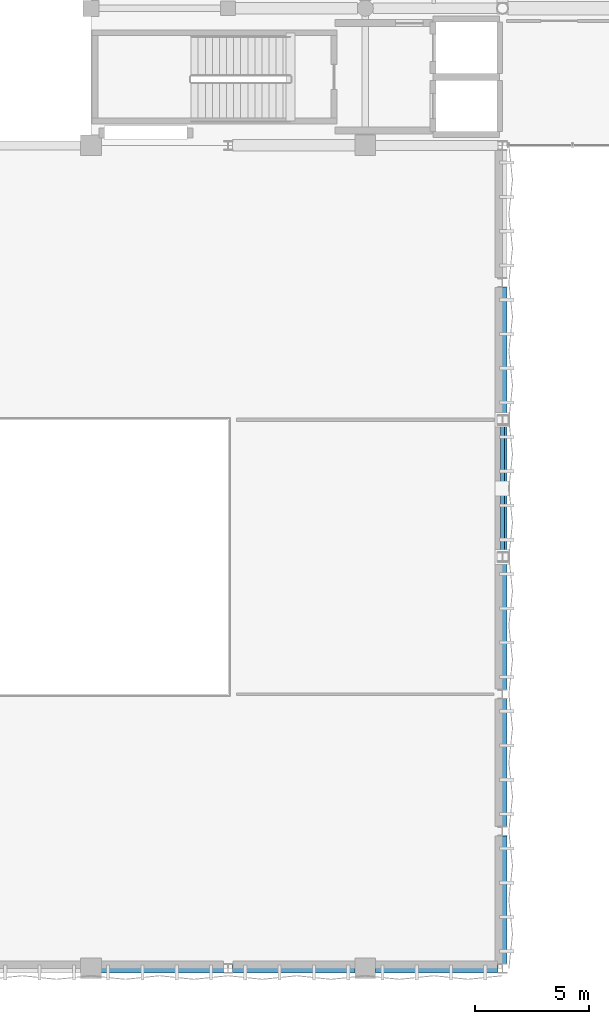
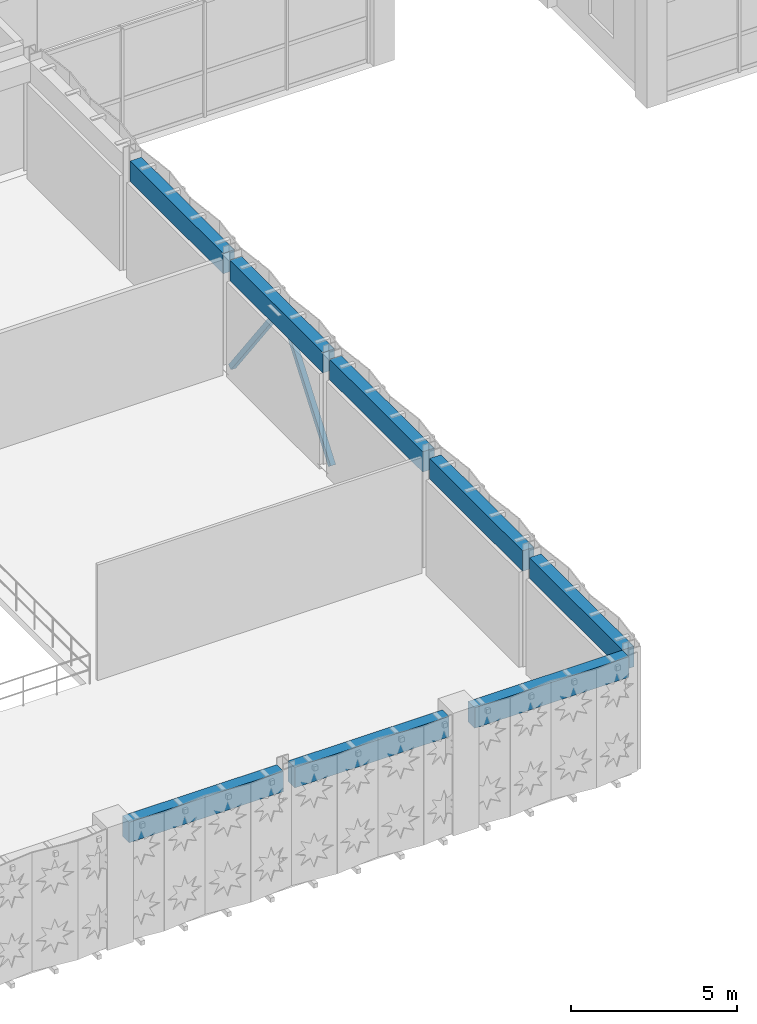
# One storey, part 47 of 116: 8 beams, 2 members.
"""IFC4 building model written with IfcOpenShell, lengths in metres."""

import ifcopenshell
import ifcopenshell.guid

model = None  # the IFC model being written
_history = None  # IfcOwnerHistory: only IFC2X3 demands one
_inside = {}  # id of a spatial element -> (the spatial element, [elements in it])
_under = {}  # id of a project, library or spatial element -> (it, [spatial elements below it])
_declared = {}  # id of a project -> (the project, [libraries it declares])
_typed = {}  # id of a type object -> (the type object, [elements of that type])
_made_of = {}  # id of a material, layer set ... -> (it, [elements and type objects made of it])


def new_model(schema):
    """Start an empty IFC model of exactly this schema.

    Asked for "IFC4X3", IfcOpenShell would pick the latest addendum, in which some entities
    have other attributes; the version numbers below select the first issue.
    IFC2X3 requires an IfcOwnerHistory on every rooted entity: one is made here for all.
    """
    global model, _history
    if schema == "IFC4X3":
        model = ifcopenshell.file(schema_version=(4, 3, 0, 0))
    else:
        model = ifcopenshell.file(schema=schema)
    _inside.clear()
    _under.clear()
    _declared.clear()
    _typed.clear()
    _made_of.clear()
    _history = None
    if model.schema == "IFC2X3":
        org = make("IfcOrganization", Name="unknown")
        user = make(
            "IfcPersonAndOrganization",
            ThePerson=make("IfcPerson", FamilyName="unknown"),
            TheOrganization=org,
        )
        app = make(
            "IfcApplication",
            ApplicationDeveloper=org,
            Version="unknown",
            ApplicationFullName="unknown",
            ApplicationIdentifier="unknown",
        )
        _history = make(
            "IfcOwnerHistory",
            OwningUser=user,
            OwningApplication=app,
            ChangeAction="ADDED",
            CreationDate=0,
        )
    return model


def make(cls, **values):
    """One entity of the class cls with the attributes given. An attribute that is None is left unset."""
    return model.create_entity(
        cls, **{name: value for name, value in values.items() if value is not None}
    )


def rooted(cls, **values):
    """An entity with a GlobalId (a new one), such as an element, a storey or a relation."""
    return make(cls, GlobalId=ifcopenshell.guid.new(), OwnerHistory=_history, **values)


def si_unit(unit_type, name, prefix=None):
    """IfcSIUnit, for example si_unit("LENGTHUNIT", "METRE", prefix="MILLI")."""
    return make("IfcSIUnit", UnitType=unit_type, Prefix=prefix, Name=name)


def assignment(units):
    """IfcUnitAssignment: the units of a project."""
    return None if units is None else make("IfcUnitAssignment", Units=units)


def point(xyz):
    """IfcCartesianPoint."""
    return None if xyz is None else make("IfcCartesianPoint", Coordinates=xyz)


def direction(xyz):
    """IfcDirection."""
    return None if xyz is None else make("IfcDirection", DirectionRatios=xyz)


def frame(location, z_axis=None, x_axis=None):
    """IfcAxis2Placement3D, a coordinate frame: its origin and axes. An axis left out is left unset."""
    return make(
        "IfcAxis2Placement3D",
        Location=point(location),
        Axis=direction(z_axis),
        RefDirection=direction(x_axis),
    )


def frame_2d(location, x_axis=None):
    """IfcAxis2Placement2D, a coordinate frame in the plane: its origin and x axis."""
    return make(
        "IfcAxis2Placement2D", Location=point(location), RefDirection=direction(x_axis)
    )


def origin():
    """The frame at (0, 0, 0) with its axes left unset."""
    return frame((0.0, 0.0, 0.0))


def origin_2d():
    """The frame at (0, 0) in the plane with its x axis left unset."""
    return frame_2d((0.0, 0.0))


def place(relative_to, where):
    """IfcLocalPlacement: puts the frame where relative to a parent placement (None: the world)."""
    return make(
        "IfcLocalPlacement", PlacementRelTo=relative_to, RelativePlacement=where
    )


def context(
    kind, dimensions, precision=None, world=None, true_north=None, identifier=None
):
    """IfcGeometricRepresentationContext, for example the 3D "Model" context."""
    return make(
        "IfcGeometricRepresentationContext",
        ContextIdentifier=identifier,
        ContextType=kind,
        CoordinateSpaceDimension=dimensions,
        Precision=precision,
        WorldCoordinateSystem=world,
        TrueNorth=true_north,
    )


def subcontext(parent, identifier, kind, view, scale=None):
    """IfcGeometricRepresentationSubContext, for example "Body" below "Model"."""
    return make(
        "IfcGeometricRepresentationSubContext",
        ContextIdentifier=identifier,
        ContextType=kind,
        ParentContext=parent,
        TargetScale=scale,
        TargetView=view,
    )


def project(units=None, contexts=None):
    """IfcProject with its units and contexts."""
    return rooted(
        "IfcProject",
        Name="project",
        RepresentationContexts=contexts,
        UnitsInContext=assignment(units),
    )


def spatial(cls, under=None, at=None, **own):
    """A site, building, storey or space (cls), placed at a placement, below another one or the project."""
    s = rooted(cls, ObjectPlacement=at, **own)
    if under is not None:
        _under.setdefault(under.id(), (under, []))[1].append(s)
    return s


def profile(cls, at=None, kind="AREA", **sizes):
    """A parametric profile (cls). Its sizes go by their IFC names, for example OverallWidth=200.0."""
    return make(cls, ProfileType=kind, Position=at, **sizes)


def rectangle(**sizes):
    """IfcRectangleProfileDef."""
    return profile("IfcRectangleProfileDef", **sizes)


def hollow_rectangle(**sizes):
    """IfcRectangleHollowProfileDef."""
    return profile("IfcRectangleHollowProfileDef", **sizes)


def extrude(swept, where, along, depth):
    """IfcExtrudedAreaSolid: the profile swept, set in the frame where, extruded along a direction by depth."""
    return make(
        "IfcExtrudedAreaSolid",
        SweptArea=swept,
        Position=where,
        ExtrudedDirection=direction(along),
        Depth=depth,
    )


def shape(context_of_items, identifier, shape_type, items):
    """IfcShapeRepresentation: the items that make up one representation, for example the "Body"."""
    return make(
        "IfcShapeRepresentation",
        ContextOfItems=context_of_items,
        RepresentationIdentifier=identifier,
        RepresentationType=shape_type,
        Items=items,
    )


def material(Name=None, Category=None):
    """IfcMaterial."""
    return make("IfcMaterial", Name=Name, Category=Category)


def material_profile(
    of_material, cross_section, Name=None, Category=None, Priority=None
):
    """IfcMaterialProfile: a cross section and its material."""
    return make(
        "IfcMaterialProfile",
        Name=Name,
        Material=of_material,
        Profile=cross_section,
        Priority=Priority,
        Category=Category,
    )


def profile_set(profiles, Name=None, composite=None):
    """IfcMaterialProfileSet."""
    return make(
        "IfcMaterialProfileSet",
        Name=Name,
        MaterialProfiles=profiles,
        CompositeProfile=composite,
    )


def made_of(thing, what):
    """Note that an element or type object is made of a material, layer set ...; save() writes the relation."""
    if what is not None:
        _made_of.setdefault(what.id(), (what, []))[1].append(thing)
    return thing


def type_object(cls, material=None, **own):
    """A type object (cls), such as IfcWallType, which elements share."""
    return made_of(rooted(cls, **own), material)


def element(
    cls,
    number,
    at=None,
    inside=None,
    cuts=None,
    type_object=None,
    material=None,
    context=None,
    identifier="Body",
    shape_type=None,
    held_by="IfcProductDefinitionShape",
    body=None,
    shapes=None,
    **own,
):
    """One element of the class cls, such as IfcWall. Its Tag is "e" and its number.

    at: its placement. inside: the storey or other place that contains it. cuts: it is an
    opening in that element (IfcRelVoidsElement). A single representation is given by context,
    identifier, shape_type and body (its items); several are given by shapes. held_by: the class
    of the entity that holds the representations. save() writes the other relations.
    """
    e = rooted(cls, Tag="e%d" % number, ObjectPlacement=at, **own)
    if body is not None:
        shapes = [shape(context, identifier, shape_type, body)]
    if shapes is not None:
        e.Representation = make(held_by, Representations=shapes)
    if inside is not None:
        _inside.setdefault(inside.id(), (inside, []))[1].append(e)
    if cuts is not None:
        rooted(
            "IfcRelVoidsElement", RelatingBuildingElement=cuts, RelatedOpeningElement=e
        )
    if type_object is not None:
        _typed.setdefault(type_object.id(), (type_object, []))[1].append(e)
    return made_of(e, material)


def aggregate(whole, parts):
    """IfcRelAggregates: a whole, such as a stair, and the parts it consists of."""
    return rooted("IfcRelAggregates", RelatingObject=whole, RelatedObjects=parts)


def save(model, path):
    """Write the relations noted so far, then the file.

    IfcRelAggregates (storeys below a building ...), IfcRelContainedInSpatialStructure (elements
    in a storey), IfcRelDefinesByType, IfcRelAssociatesMaterial and IfcRelDeclares: one each for
    every whole, place, type object, material and project.
    """
    for whole, parts in _under.values():
        aggregate(whole, parts)
    for where, things in _inside.values():
        rooted(
            "IfcRelContainedInSpatialStructure",
            RelatedElements=things,
            RelatingStructure=where,
        )
    for kind, things in _typed.values():
        rooted("IfcRelDefinesByType", RelatedObjects=things, RelatingType=kind)
    for what, things in _made_of.values():
        rooted("IfcRelAssociatesMaterial", RelatedObjects=things, RelatingMaterial=what)
    for by, libraries in _declared.values():
        rooted("IfcRelDeclares", RelatingContext=by, RelatedDefinitions=libraries)
    model.write(path)


model = new_model("IFC4")

# Units and contexts
model_context = context("Model", 3, precision=1e-05, world=origin(), true_north=direction((0.0, 1.0)))
body_context = subcontext(model_context, "Body", "Model", "MODEL_VIEW")
ifc_project = project(units=[si_unit("LENGTHUNIT", "METRE"), si_unit("AREAUNIT", "SQUARE_METRE"), si_unit("VOLUMEUNIT", "CUBIC_METRE"), si_unit("PLANEANGLEUNIT", "RADIAN"), si_unit("MASSUNIT", "GRAM", prefix="KILO"), si_unit("THERMODYNAMICTEMPERATUREUNIT", "KELVIN"), si_unit("POWERUNIT", "WATT")], contexts=[model_context])

# Site, building, storey
site_placement = place(None, origin())
site = spatial("IfcSite", under=ifc_project, at=site_placement, CompositionType="ELEMENT")
building_placement = place(site_placement, origin())
building = spatial("IfcBuilding", under=site, at=building_placement, Name="Phaisarnlok Congress Hotel", CompositionType="ELEMENT")
storey_placement = place(building_placement, frame((0.0, 0.0, 10.5)))
storey = spatial("IfcBuildingStorey", under=building, at=storey_placement, Name="L02", CompositionType="ELEMENT", Elevation=10.5)

# Members
ifc_material_1 = material(Name="Steel S355", Category="steel")
ifc_material_profile_1 = material_profile(ifc_material_1, hollow_rectangle(XDim=0.179931640625, YDim=0.179931640625, WallThickness=0.010009765625, at=origin_2d()), Name="SHS 180x180x10")
ifc_profile_set_1 = profile_set([ifc_material_profile_1], Name="Steel S355")
member_type = type_object("IfcMemberType", Name="MEM-BRC-SHS180", PredefinedType="BRACE", material=ifc_profile_set_1)
for number, where, z_axis, x_axis, name in (
    (1, (144.0, 18.0, 0.14990234375), (0.0, 0.602869179166, 0.797840054655), (-1.0, 0.0, 0.0), "Lateral braced frame diagonal"),
    (2, (144.0, 24.0, 0.14990234375), (0.0, -0.602869179166, 0.797840054655), (1.0, 0.0, 0.0), "Lateral braced frame diagonal"),
):
    element("IfcMember", number, at=place(storey_placement, frame(where, z_axis=z_axis, x_axis=x_axis)), inside=storey, type_object=member_type, Name=name, PredefinedType="BRACE", context=body_context, shape_type="SweptSolid", body=[
        extrude(hollow_rectangle(XDim=0.179931640625, YDim=0.179931640625, WallThickness=0.010009765625, at=origin_2d()), origin(), (0.0, 0.0, 1.0), 4.976318359375),
    ])

# Beams
ifc_material_2 = material(Name="Concrete C40/50", Category="concrete")
ifc_material_profile_2 = material_profile(ifc_material_2, rectangle(XDim=0.39990234375, YDim=0.75, at=origin_2d()), Name="RC 400x750")
ifc_profile_set_2 = profile_set([ifc_material_profile_2], Name="Concrete C40/50")
beam_type = type_object("IfcBeamType", Name="SP-RC-400x750", PredefinedType="SPANDREL", material=ifc_profile_set_2)
for number, where, z_axis, x_axis, name in (
    (3, (126.445068359375, 0.0, 3.864990234375), (1.0, 0.0, 0.0), (0.0, 1.0, 0.0), "Beam SP-02"),
    (4, (132.197998046875, 0.0, 3.864990234375), (1.0, 0.0, 0.0), (0.0, 1.0, 0.0), "Beam SP-02"),
    (5, (138.445068359375, 0.0, 3.864990234375), (1.0, 0.0, 0.0), (0.0, 1.0, 0.0), "Beam SP-02"),
):
    element("IfcBeam", number, at=place(storey_placement, frame(where, z_axis=z_axis, x_axis=x_axis)), inside=storey, type_object=beam_type, Name=name, PredefinedType="SPANDREL", context=body_context, shape_type="SweptSolid", body=[
        extrude(rectangle(XDim=0.39990234375, YDim=0.75, at=origin_2d()), origin(), (0.0, 0.0, 1.0), 5.35693359375),
    ])
for number, where, z_axis, x_axis, name in (
    (6, (144.0, 0.202880859375, 3.864990234375), (0.0, 1.0, 0.0), (-1.0, 0.0, 0.0), "Beam SP-02"),
    (7, (144.0, 6.202880859375, 3.864990234375), (0.0, 1.0, 0.0), (-1.0, 0.0, 0.0), "Beam SP-02"),
    (8, (144.0, 12.202880859375, 3.864990234375), (0.0, 1.0, 0.0), (-1.0, 0.0, 0.0), "Beam SP-02"),
    (9, (144.0, 18.202880859375, 3.864990234375), (0.0, 1.0, 0.0), (-1.0, 0.0, 0.0), "Beam SP-02"),
    (10, (144.0, 24.202880859375, 3.864990234375), (0.0, 1.0, 0.0), (-1.0, 0.0, 0.0), "Beam SP-02"),
):
    element("IfcBeam", number, at=place(storey_placement, frame(where, z_axis=z_axis, x_axis=x_axis)), inside=storey, type_object=beam_type, Name=name, PredefinedType="SPANDREL", context=body_context, shape_type="SweptSolid", body=[
        extrude(rectangle(XDim=0.39990234375, YDim=0.75, at=origin_2d()), origin(), (0.0, 0.0, 1.0), 5.59423828125),
    ])

save(model, "model.ifc")
